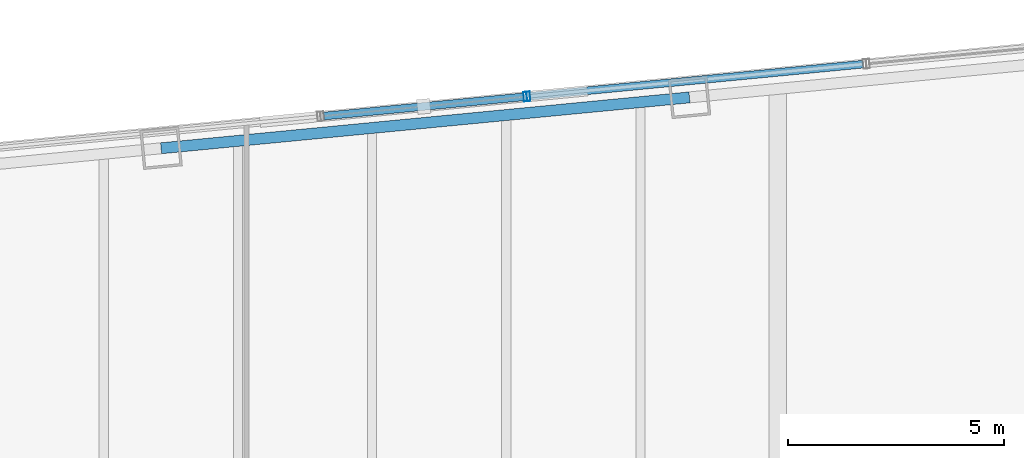
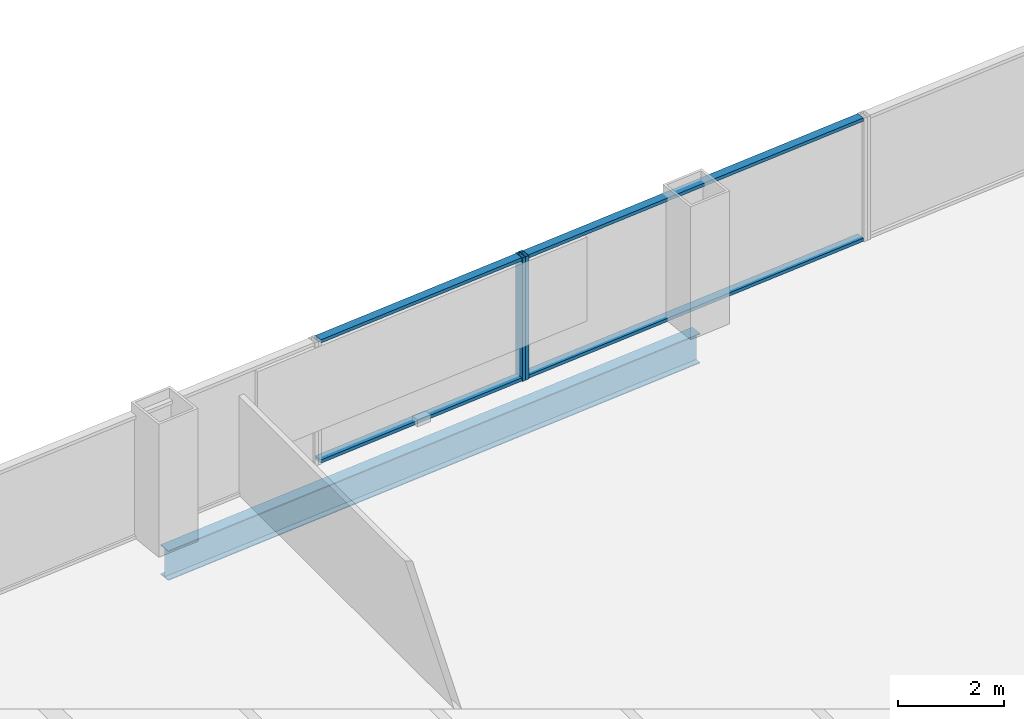
# One storey, part 17 of 27: 6 members, 1 beam, 2 elements without a shape of their own.
"""IFC4 building model written with IfcOpenShell, lengths in metres."""

from ifc_helpers import new_model, si_unit, direction, frame, origin, origin_2d, place, context, subcontext, project, spatial, hollow_rectangle, i_section, extrude, material, layer, layer_set, material_profile, profile_set, type_object, element, aggregate, save


model = new_model("IFC4")

# Units and contexts
model_context = context("Model", 3, precision=1e-05, world=origin(), true_north=direction((0.0, 1.0)))
body_context = subcontext(model_context, "Body", "Model", "MODEL_VIEW")
ifc_project = project(units=[si_unit("LENGTHUNIT", "METRE"), si_unit("AREAUNIT", "SQUARE_METRE"), si_unit("VOLUMEUNIT", "CUBIC_METRE"), si_unit("PLANEANGLEUNIT", "RADIAN"), si_unit("MASSUNIT", "GRAM", prefix="KILO")], contexts=[model_context])

# Site, building, storey
site_placement = place(None, origin())
site = spatial("IfcSite", under=ifc_project, at=site_placement, CompositionType="ELEMENT")
building_placement = place(site_placement, origin())
building = spatial("IfcBuilding", under=site, at=building_placement, Name="Qhalaya Broadcast Tower", CompositionType="ELEMENT")
storey_placement = place(building_placement, frame((0.0, 0.0, 75.550048828125)))
storey = spatial("IfcBuildingStorey", under=building, at=storey_placement, Name="L21", CompositionType="ELEMENT", Elevation=75.550048828125)

# Beam
ifc_material_1 = material(Name="Structural Steel ASTM A992 Grade 50", Category="steel")
ifc_material_profile_1 = material_profile(ifc_material_1, i_section(OverallWidth=0.25390625, OverallDepth=0.68310546875, WebThickness=0.012451171875, FlangeThickness=0.01904296875, at=origin_2d()), Name="W27X94")
ifc_profile_set_1 = profile_set([ifc_material_profile_1], Name="Structural Steel ASTM A992 Grade 50")
beam_type = type_object("IfcBeamType", Name="Perimeter Ring Spandrel Beam SP1", PredefinedType="SPANDREL", material=ifc_profile_set_1)
beam_placement = place(storey_placement, frame((7.335205078125, 28.116943359375, -0.5615234375), z_axis=(-0.99539563662, -0.095851586307, 0.0), x_axis=(0.095851586307, -0.99539563662, 0.0)))
element("IfcBeam", 1, at=beam_placement, inside=storey, type_object=beam_type, Name="L21 SP1 L21-SPR-10", PredefinedType="SPANDREL", context=body_context, shape_type="SweptSolid", body=[
    extrude(i_section(OverallWidth=0.25390625, OverallDepth=0.68310546875, WebThickness=0.012451171875, FlangeThickness=0.01904296875, at=origin_2d()), origin(), (0.0, 0.0, 1.0), 12.2666015625),
])

# Curtain wall, member
ifc_material_2 = material(Name="Fired Architectural Terracotta", Category="masonry")
ifc_layer_1 = layer(ifc_material_2, 0.219970703125, Name="Fired Architectural Terracotta")
ifc_layer_set_1 = layer_set([ifc_layer_1], Name="Fired Architectural Terracotta")
curtain_wall_type_1 = type_object("IfcCurtainWallType", Name="Block-Cap Unitised Terracotta Spandrel Wall CW-07", PredefinedType="NOTDEFINED", material=ifc_layer_set_1)
curtain_wall_1_placement = place(storey_placement, origin())
curtain_wall_1 = element("IfcCurtainWall", 2, at=curtain_wall_1_placement, inside=storey, type_object=curtain_wall_type_1, Name="L21 Unitised Curtain Wall L21-CW-N3", PredefinedType="NOTDEFINED")
ifc_material_3 = material(Name="Anodised Aluminium 6063-T6", Category="aluminium")
ifc_material_profile_2 = material_profile(ifc_material_3, hollow_rectangle(XDim=0.074951171875, YDim=0.219970703125, WallThickness=0.00390625, at=origin_2d()), Name="ALU-MUL 75x220x4")
ifc_profile_set_2 = profile_set([ifc_material_profile_2], Name="Anodised Aluminium 6063-T6")
member_type_1 = type_object("IfcMemberType", Name="Unitised Curtain-Wall Mullion M01", PredefinedType="MULLION", material=ifc_profile_set_2)
member_1_placement = place(storey_placement, frame((3.613037109375, 28.140380859375, 0.0), z_axis=(0.0, 0.0, 1.0), x_axis=(-0.995396908899, -0.095838373083, 0.0)))
member_1 = element("IfcMember", 3, at=member_1_placement, type_object=member_type_1, Name="CW-07 mullion 2", PredefinedType="MULLION", context=body_context, shape_type="SweptSolid", body=[
    extrude(hollow_rectangle(XDim=0.074951171875, YDim=0.219970703125, WallThickness=0.00390625, at=origin_2d()), origin(), (0.0, 0.0, 1.0), 2.829833984375),
])

ifc_material_4 = material(Name="Solar-Control Low-E Triple Glazing", Category="glass")
ifc_layer_2 = layer(ifc_material_4, 0.219970703125, Name="Solar-Control Low-E Triple Glazing")
ifc_layer_set_2 = layer_set([ifc_layer_2], Name="Solar-Control Low-E Triple Glazing")
curtain_wall_type_2 = type_object("IfcCurtainWallType", Name="Even-Block 4-Storey Double-Module Curtain Wall CW-03", PredefinedType="NOTDEFINED", material=ifc_layer_set_2)
curtain_wall_2_placement = place(storey_placement, origin())
curtain_wall_2 = element("IfcCurtainWall", 4, at=curtain_wall_2_placement, inside=storey, type_object=curtain_wall_type_2, Name="L21 Unitised Curtain Wall L21-CW-N4", PredefinedType="NOTDEFINED")
member_2_placement = place(storey_placement, frame((3.538330078125, 28.133056640625, 0.0), z_axis=(0.0, 0.0, 1.0), x_axis=(-0.995394623965, -0.095862101904, 0.0)))
member_2 = element("IfcMember", 5, at=member_2_placement, type_object=member_type_1, Name="CW-03 mullion 1", PredefinedType="MULLION", context=body_context, shape_type="SweptSolid", body=[
    extrude(hollow_rectangle(XDim=0.074951171875, YDim=0.219970703125, WallThickness=0.00390625, at=origin_2d()), origin(), (0.0, 0.0, 1.0), 2.829833984375),
])

# Member
ifc_material_profile_3 = material_profile(ifc_material_3, hollow_rectangle(XDim=0.074951171875, YDim=0.179931640625, WallThickness=0.00390625, at=origin_2d()), Name="ALU-TRN 75x180x4")
ifc_profile_set_3 = profile_set([ifc_material_profile_3], Name="Anodised Aluminium 6063-T6")
member_type_2 = type_object("IfcMemberType", Name="Unitised Curtain-Wall Transom T01", PredefinedType="USERDEFINED", material=ifc_profile_set_3)
member_3_placement = place(storey_placement, frame((11.345703125, 28.884765625, 0.037353515625), z_axis=(-0.99539629116, -0.095844788822, 0.0), x_axis=(0.0, 0.0, 1.0)))
member_3 = element("IfcMember", 6, at=member_3_placement, type_object=member_type_2, Name="CW-07 transom 1.1", ObjectType="TRANSOM", PredefinedType="USERDEFINED", context=body_context, shape_type="SweptSolid", body=[
    extrude(hollow_rectangle(XDim=0.074951171875, YDim=0.179931640625, WallThickness=0.00390625, at=origin_2d()), origin(), (0.0, 0.0, 1.0), 7.73095703125),
])

member_4_placement = place(storey_placement, frame((11.345703125, 28.884765625, 2.79248046875), z_axis=(-0.99539629116, -0.095844788822, 0.0), x_axis=(0.0, 0.0, 1.0)))
member_4 = element("IfcMember", 7, at=member_4_placement, type_object=member_type_2, Name="CW-07 transom 1.2", ObjectType="TRANSOM", PredefinedType="USERDEFINED", context=body_context, shape_type="SweptSolid", body=[
    extrude(hollow_rectangle(XDim=0.074951171875, YDim=0.179931640625, WallThickness=0.00390625, at=origin_2d()), origin(), (0.0, 0.0, 1.0), 7.73095703125),
])

aggregate(curtain_wall_1, [member_1, member_3, member_4])

member_5_placement = place(storey_placement, frame((3.5009765625, 28.12939453125, 0.037353515625), z_axis=(-0.995395993874, -0.095847876242, 0.0), x_axis=(0.0, 0.0, 1.0)))
member_5 = element("IfcMember", 8, at=member_5_placement, type_object=member_type_2, Name="CW-03 transom 1.1", ObjectType="TRANSOM", PredefinedType="USERDEFINED", context=body_context, shape_type="SweptSolid", body=[
    extrude(hollow_rectangle(XDim=0.074951171875, YDim=0.179931640625, WallThickness=0.00390625, at=origin_2d()), origin(), (0.0, 0.0, 1.0), 4.6357421875),
])

member_6_placement = place(storey_placement, frame((3.5009765625, 28.12939453125, 2.79248046875), z_axis=(-0.995395993874, -0.095847876242, 0.0), x_axis=(0.0, 0.0, 1.0)))
member_6 = element("IfcMember", 9, at=member_6_placement, type_object=member_type_2, Name="CW-03 transom 1.2", ObjectType="TRANSOM", PredefinedType="USERDEFINED", context=body_context, shape_type="SweptSolid", body=[
    extrude(hollow_rectangle(XDim=0.074951171875, YDim=0.179931640625, WallThickness=0.00390625, at=origin_2d()), origin(), (0.0, 0.0, 1.0), 4.6357421875),
])

aggregate(curtain_wall_2, [member_2, member_5, member_6])

save(model, "model.ifc")
